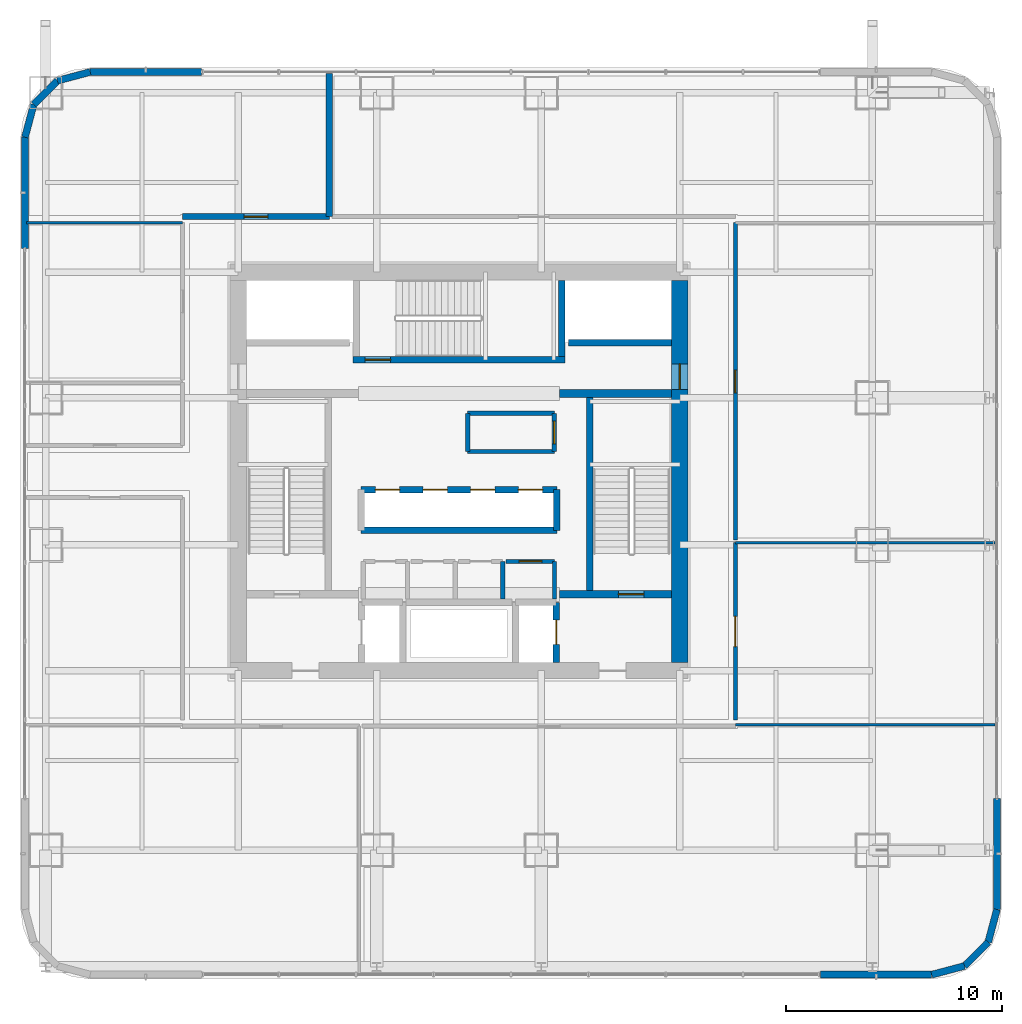
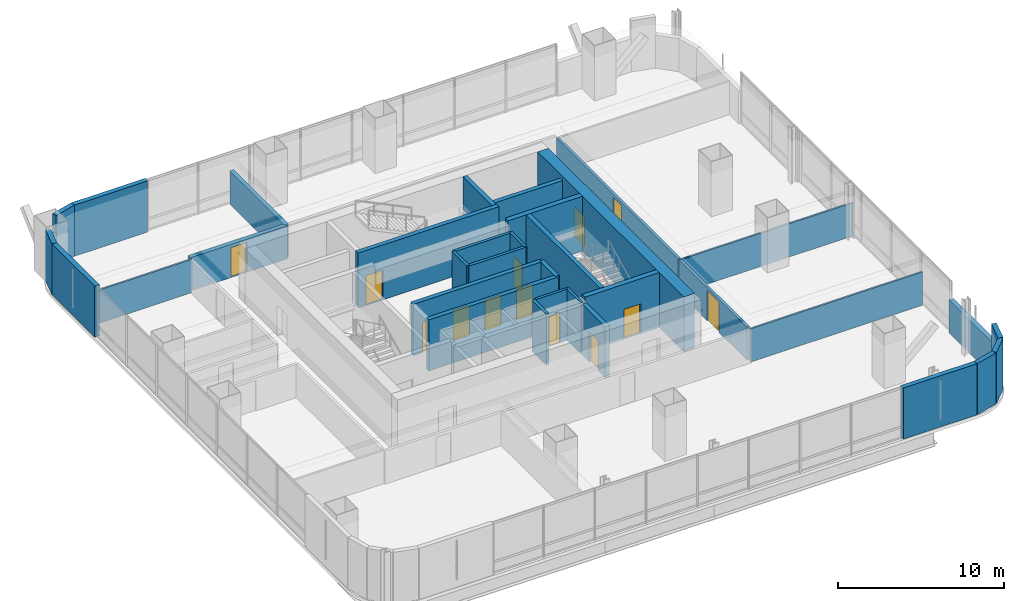
# One storey, part 29 of 42: 35 walls, 13 doors, 13 openings.
"""IFC4 building model written with IfcOpenShell, lengths in metres."""

import ifcopenshell
import ifcopenshell.guid

model = None  # the IFC model being written
_history = None  # IfcOwnerHistory: only IFC2X3 demands one
_inside = {}  # id of a spatial element -> (the spatial element, [elements in it])
_under = {}  # id of a project, library or spatial element -> (it, [spatial elements below it])
_declared = {}  # id of a project -> (the project, [libraries it declares])
_typed = {}  # id of a type object -> (the type object, [elements of that type])
_made_of = {}  # id of a material, layer set ... -> (it, [elements and type objects made of it])


def new_model(schema):
    """Start an empty IFC model of exactly this schema.

    Asked for "IFC4X3", IfcOpenShell would pick the latest addendum, in which some entities
    have other attributes; the version numbers below select the first issue.
    IFC2X3 requires an IfcOwnerHistory on every rooted entity: one is made here for all.
    """
    global model, _history
    if schema == "IFC4X3":
        model = ifcopenshell.file(schema_version=(4, 3, 0, 0))
    else:
        model = ifcopenshell.file(schema=schema)
    _inside.clear()
    _under.clear()
    _declared.clear()
    _typed.clear()
    _made_of.clear()
    _history = None
    if model.schema == "IFC2X3":
        org = make("IfcOrganization", Name="unknown")
        user = make(
            "IfcPersonAndOrganization",
            ThePerson=make("IfcPerson", FamilyName="unknown"),
            TheOrganization=org,
        )
        app = make(
            "IfcApplication",
            ApplicationDeveloper=org,
            Version="unknown",
            ApplicationFullName="unknown",
            ApplicationIdentifier="unknown",
        )
        _history = make(
            "IfcOwnerHistory",
            OwningUser=user,
            OwningApplication=app,
            ChangeAction="ADDED",
            CreationDate=0,
        )
    return model


def make(cls, **values):
    """One entity of the class cls with the attributes given. An attribute that is None is left unset."""
    return model.create_entity(
        cls, **{name: value for name, value in values.items() if value is not None}
    )


def rooted(cls, **values):
    """An entity with a GlobalId (a new one), such as an element, a storey or a relation."""
    return make(cls, GlobalId=ifcopenshell.guid.new(), OwnerHistory=_history, **values)


def si_unit(unit_type, name, prefix=None):
    """IfcSIUnit, for example si_unit("LENGTHUNIT", "METRE", prefix="MILLI")."""
    return make("IfcSIUnit", UnitType=unit_type, Prefix=prefix, Name=name)


def assignment(units):
    """IfcUnitAssignment: the units of a project."""
    return None if units is None else make("IfcUnitAssignment", Units=units)


def point(xyz):
    """IfcCartesianPoint."""
    return None if xyz is None else make("IfcCartesianPoint", Coordinates=xyz)


def direction(xyz):
    """IfcDirection."""
    return None if xyz is None else make("IfcDirection", DirectionRatios=xyz)


def frame(location, z_axis=None, x_axis=None):
    """IfcAxis2Placement3D, a coordinate frame: its origin and axes. An axis left out is left unset."""
    return make(
        "IfcAxis2Placement3D",
        Location=point(location),
        Axis=direction(z_axis),
        RefDirection=direction(x_axis),
    )


def frame_2d(location, x_axis=None):
    """IfcAxis2Placement2D, a coordinate frame in the plane: its origin and x axis."""
    return make(
        "IfcAxis2Placement2D", Location=point(location), RefDirection=direction(x_axis)
    )


def origin():
    """The frame at (0, 0, 0) with its axes left unset."""
    return frame((0.0, 0.0, 0.0))


def place(relative_to, where):
    """IfcLocalPlacement: puts the frame where relative to a parent placement (None: the world)."""
    return make(
        "IfcLocalPlacement", PlacementRelTo=relative_to, RelativePlacement=where
    )


def context(
    kind, dimensions, precision=None, world=None, true_north=None, identifier=None
):
    """IfcGeometricRepresentationContext, for example the 3D "Model" context."""
    return make(
        "IfcGeometricRepresentationContext",
        ContextIdentifier=identifier,
        ContextType=kind,
        CoordinateSpaceDimension=dimensions,
        Precision=precision,
        WorldCoordinateSystem=world,
        TrueNorth=true_north,
    )


def subcontext(parent, identifier, kind, view, scale=None):
    """IfcGeometricRepresentationSubContext, for example "Body" below "Model"."""
    return make(
        "IfcGeometricRepresentationSubContext",
        ContextIdentifier=identifier,
        ContextType=kind,
        ParentContext=parent,
        TargetScale=scale,
        TargetView=view,
    )


def project(units=None, contexts=None):
    """IfcProject with its units and contexts."""
    return rooted(
        "IfcProject",
        Name="project",
        RepresentationContexts=contexts,
        UnitsInContext=assignment(units),
    )


def spatial(cls, under=None, at=None, **own):
    """A site, building, storey or space (cls), placed at a placement, below another one or the project."""
    s = rooted(cls, ObjectPlacement=at, **own)
    if under is not None:
        _under.setdefault(under.id(), (under, []))[1].append(s)
    return s


def profile(cls, at=None, kind="AREA", **sizes):
    """A parametric profile (cls). Its sizes go by their IFC names, for example OverallWidth=200.0."""
    return make(cls, ProfileType=kind, Position=at, **sizes)


def rectangle(**sizes):
    """IfcRectangleProfileDef."""
    return profile("IfcRectangleProfileDef", **sizes)


def extrude(swept, where, along, depth):
    """IfcExtrudedAreaSolid: the profile swept, set in the frame where, extruded along a direction by depth."""
    return make(
        "IfcExtrudedAreaSolid",
        SweptArea=swept,
        Position=where,
        ExtrudedDirection=direction(along),
        Depth=depth,
    )


def shape(context_of_items, identifier, shape_type, items):
    """IfcShapeRepresentation: the items that make up one representation, for example the "Body"."""
    return make(
        "IfcShapeRepresentation",
        ContextOfItems=context_of_items,
        RepresentationIdentifier=identifier,
        RepresentationType=shape_type,
        Items=items,
    )


def material(Name=None, Category=None):
    """IfcMaterial."""
    return make("IfcMaterial", Name=Name, Category=Category)


def layer(
    of_material, thickness, ventilated=None, Name=None, Category=None, Priority=None
):
    """IfcMaterialLayer: one layer of a wall or slab, of a material (None: an air gap)."""
    return make(
        "IfcMaterialLayer",
        Material=of_material,
        LayerThickness=thickness,
        IsVentilated=ventilated,
        Name=Name,
        Category=Category,
        Priority=Priority,
    )


def layer_set(layers, Name=None):
    """IfcMaterialLayerSet."""
    return make("IfcMaterialLayerSet", MaterialLayers=layers, LayerSetName=Name)


def made_of(thing, what):
    """Note that an element or type object is made of a material, layer set ...; save() writes the relation."""
    if what is not None:
        _made_of.setdefault(what.id(), (what, []))[1].append(thing)
    return thing


def type_object(cls, material=None, **own):
    """A type object (cls), such as IfcWallType, which elements share."""
    return made_of(rooted(cls, **own), material)


def element(
    cls,
    number,
    at=None,
    inside=None,
    cuts=None,
    type_object=None,
    material=None,
    context=None,
    identifier="Body",
    shape_type=None,
    held_by="IfcProductDefinitionShape",
    body=None,
    shapes=None,
    **own,
):
    """One element of the class cls, such as IfcWall. Its Tag is "e" and its number.

    at: its placement. inside: the storey or other place that contains it. cuts: it is an
    opening in that element (IfcRelVoidsElement). A single representation is given by context,
    identifier, shape_type and body (its items); several are given by shapes. held_by: the class
    of the entity that holds the representations. save() writes the other relations.
    """
    e = rooted(cls, Tag="e%d" % number, ObjectPlacement=at, **own)
    if body is not None:
        shapes = [shape(context, identifier, shape_type, body)]
    if shapes is not None:
        e.Representation = make(held_by, Representations=shapes)
    if inside is not None:
        _inside.setdefault(inside.id(), (inside, []))[1].append(e)
    if cuts is not None:
        rooted(
            "IfcRelVoidsElement", RelatingBuildingElement=cuts, RelatedOpeningElement=e
        )
    if type_object is not None:
        _typed.setdefault(type_object.id(), (type_object, []))[1].append(e)
    return made_of(e, material)


def fill(opening, filler):
    """IfcRelFillsElement: the door or window that sits in an opening."""
    return rooted(
        "IfcRelFillsElement",
        RelatingOpeningElement=opening,
        RelatedBuildingElement=filler,
    )


def aggregate(whole, parts):
    """IfcRelAggregates: a whole, such as a stair, and the parts it consists of."""
    return rooted("IfcRelAggregates", RelatingObject=whole, RelatedObjects=parts)


def save(model, path):
    """Write the relations noted so far, then the file.

    IfcRelAggregates (storeys below a building ...), IfcRelContainedInSpatialStructure (elements
    in a storey), IfcRelDefinesByType, IfcRelAssociatesMaterial and IfcRelDeclares: one each for
    every whole, place, type object, material and project.
    """
    for whole, parts in _under.values():
        aggregate(whole, parts)
    for where, things in _inside.values():
        rooted(
            "IfcRelContainedInSpatialStructure",
            RelatedElements=things,
            RelatingStructure=where,
        )
    for kind, things in _typed.values():
        rooted("IfcRelDefinesByType", RelatedObjects=things, RelatingType=kind)
    for what, things in _made_of.values():
        rooted("IfcRelAssociatesMaterial", RelatedObjects=things, RelatingMaterial=what)
    for by, libraries in _declared.values():
        rooted("IfcRelDeclares", RelatingContext=by, RelatedDefinitions=libraries)
    model.write(path)


model = new_model("IFC4")

# Units and contexts
model_context = context("Model", 3, precision=1e-05, world=origin(), true_north=direction((0.0, 1.0)))
body_context = subcontext(model_context, "Body", "Model", "MODEL_VIEW")
ifc_project = project(units=[si_unit("LENGTHUNIT", "METRE"), si_unit("AREAUNIT", "SQUARE_METRE"), si_unit("VOLUMEUNIT", "CUBIC_METRE"), si_unit("PLANEANGLEUNIT", "RADIAN"), si_unit("MASSUNIT", "GRAM", prefix="KILO")], contexts=[model_context])

# Site, building, storey
site_placement = place(None, origin())
site = spatial("IfcSite", under=ifc_project, at=site_placement, CompositionType="ELEMENT")
building_placement = place(site_placement, origin())
building = spatial("IfcBuilding", under=site, at=building_placement, Name="Punatoya Terracotta Tower", CompositionType="ELEMENT")
storey_placement = place(building_placement, frame((0.0, 0.0, 88.949951171875)))
storey = spatial("IfcBuildingStorey", under=building, at=storey_placement, Name="L20", CompositionType="ELEMENT", Elevation=88.949951171875)

# Wall
ifc_material_1 = material(Name="Concrete C40/50", Category="concrete")
ifc_layer_1 = layer(ifc_material_1, 0.280029296875)
ifc_layer_set_1 = layer_set([ifc_layer_1], Name="Concrete C40/50")
wall_type_1 = type_object("IfcWallType", Name="WL-AUD-280", PredefinedType="SOLIDWALL", material=ifc_layer_set_1)
wall_1_placement = place(storey_placement, frame((-5.993896484375, 18.3701171875, 0.0), z_axis=(0.0, 0.0, 1.0), x_axis=(0.0, -1.0, 0.0)))
element("IfcWall", 1, at=wall_1_placement, inside=storey, type_object=wall_type_1, Name="L20 Open-Plan Fitness Movement Lounge Partition 30", PredefinedType="SOLIDWALL", context=body_context, shape_type="SweptSolid", body=[
    extrude(rectangle(XDim=6.60009765625, YDim=0.280029296875, at=frame_2d((3.300048828125, 0.0))), origin(), (0.0, 0.0, 1.0), 2.444091796875),
])

# Wall, opening, door
wall_2_placement = place(storey_placement, frame((-5.993896484375, 11.77001953125, 0.0), z_axis=(0.0, 0.0, 1.0), x_axis=(-1.0, 0.0, 0.0)))
wall_2 = element("IfcWall", 2, at=wall_2_placement, inside=storey, type_object=wall_type_1, Name="L20 Open-Plan Fitness Movement Lounge Partition 31", PredefinedType="SOLIDWALL", context=body_context, shape_type="SweptSolid", body=[
    extrude(rectangle(XDim=6.776123046875, YDim=0.280029296875, at=frame_2d((3.38818359375, 0.0))), origin(), (0.0, 0.0, 1.0), 2.444091796875),
])
opening_1_placement = place(wall_2_placement, frame((2.837890625, 0.0, 0.0)))
opening_1 = element("IfcOpeningElement", 3, at=opening_1_placement, cuts=wall_2, Name="Opening FD-P1", PredefinedType="OPENING", context=body_context, shape_type="SweptSolid", body=[
    extrude(rectangle(XDim=1.10009765625, YDim=2.199951171875, at=frame_2d((0.550048828125, 1.10009765625))), frame((0.0, 0.14990234375, 0.0), z_axis=(0.0, -1.0, 0.0), x_axis=(1.0, 0.0, 0.0)), (0.0, 0.0, 1.0), 0.300048828125),
])
ifc_material_2 = material(Name="Galvanised Steel Plant Fire Door", Category="steel")
door_type_1 = type_object("IfcDoorType", Name="DR-PLT-1100", OperationType="NOTDEFINED", PredefinedType="DOOR", material=ifc_material_2)
door_1_placement = place(opening_1_placement, origin())
door_1 = element("IfcDoor", 4, at=door_1_placement, inside=storey, type_object=door_type_1, Name="L20 Open-Plan Fitness Movement Lounge Fire Door", OperationType="SINGLE_SWING_RIGHT", OverallHeight=2.199951171875, OverallWidth=1.10009765625, PredefinedType="DOOR", context=body_context, shape_type="SweptSolid", body=[
    extrude(rectangle(XDim=1.10009765625, YDim=2.199951171875, at=frame_2d((0.550048828125, 1.10009765625))), frame((0.0, 0.02490234375, 0.0), z_axis=(0.0, -1.0, 0.0), x_axis=(1.0, 0.0, 0.0)), (0.0, 0.0, 1.0), 0.050048828125),
])
fill(opening_1, door_1)

ifc_material_3 = material(Name="Concrete C60/75", Category="concrete")
ifc_layer_2 = layer(ifc_material_3, 0.75)
ifc_layer_set_2 = layer_set([ifc_layer_2], Name="Concrete C60/75")
wall_type_2 = type_object("IfcWallType", Name="WL-COR-750", PredefinedType="SHEAR", material=ifc_layer_set_2)
wall_3_placement = place(storey_placement, frame((10.199951171875, 8.824951171875, 0.0), z_axis=(0.0, 0.0, 1.0), x_axis=(0.0, -1.0, 0.0)))
wall_3 = element("IfcWall", 5, at=wall_3_placement, inside=storey, type_object=wall_type_2, Name="L20 Core Shear Wall E", PredefinedType="SHEAR", context=body_context, shape_type="SweptSolid", body=[
    extrude(rectangle(XDim=17.64990234375, YDim=0.75, at=frame_2d((8.824951171875, 0.0))), origin(), (0.0, 0.0, 1.0), 4.050048828125),
])
opening_2_placement = place(wall_3_placement, frame((3.85498046875, 0.0, 0.0)))
opening_2 = element("IfcOpeningElement", 6, at=opening_2_placement, cuts=wall_3, Name="Opening SD-01", PredefinedType="OPENING", context=body_context, shape_type="SweptSolid", body=[
    extrude(rectangle(XDim=1.179931640625, YDim=2.199951171875, at=frame_2d((0.58984375, 1.10009765625))), frame((0.0, 0.385009765625, 0.0), z_axis=(0.0, -1.0, 0.0), x_axis=(1.0, 0.0, 0.0)), (0.0, 0.0, 1.0), 0.77001953125),
])
ifc_material_4 = material(Name="Galvanised Steel Pressurized Stair Fire Door", Category="steel")
door_type_2 = type_object("IfcDoorType", Name="DR-STR-1180", OperationType="NOTDEFINED", PredefinedType="DOOR", material=ifc_material_4)
door_2_placement = place(opening_2_placement, origin())
door_2 = element("IfcDoor", 7, at=door_2_placement, inside=storey, type_object=door_type_2, Name="L20 Central Lift Lobby East Fire Door", OperationType="SINGLE_SWING_RIGHT", OverallHeight=2.199951171875, OverallWidth=1.179931640625, PredefinedType="DOOR", context=body_context, shape_type="SweptSolid", body=[
    extrude(rectangle(XDim=1.179931640625, YDim=2.199951171875, at=frame_2d((0.58984375, 1.10009765625))), frame((0.0, 0.02490234375, 0.0), z_axis=(0.0, -1.0, 0.0), x_axis=(1.0, 0.0, 0.0)), (0.0, 0.0, 1.0), 0.050048828125),
])
fill(opening_2, door_2)

# Wall
ifc_material_5 = material(Name="Gypsum Fireboard + Steel Stud", Category="steel")
ifc_layer_3 = layer(ifc_material_5, 0.179931640625)
ifc_layer_set_3 = layer_set([ifc_layer_3], Name="Gypsum Fireboard + Steel Stud")
wall_type_3 = type_object("IfcWallType", Name="WL-CORR-180", PredefinedType="PARTITIONING", material=ifc_layer_set_3)
wall_4_placement = place(storey_placement, frame((4.419921875, -5.89990234375, 0.0), z_axis=(0.0, 0.0, 1.0), x_axis=(0.0, 1.0, 0.0)))
element("IfcWall", 8, at=wall_4_placement, inside=storey, type_object=wall_type_3, Name="L20 Core Reprographics Studio Partition 08", PredefinedType="PARTITIONING", context=body_context, shape_type="SweptSolid", body=[
    extrude(rectangle(XDim=1.739990234375, YDim=0.179931640625, at=frame_2d((0.8701171875, 0.0))), origin(), (0.0, 0.0, 1.0), 3.77001953125),
])

# Wall, opening, door
wall_5_placement = place(storey_placement, frame((4.419921875, -4.159912109375, 0.0), z_axis=(0.0, 0.0, 1.0), x_axis=(-1.0, 0.0, 0.0)))
wall_5 = element("IfcWall", 9, at=wall_5_placement, inside=storey, type_object=wall_type_3, Name="L20 Core Reprographics Studio Partition 09", PredefinedType="PARTITIONING", context=body_context, shape_type="SweptSolid", body=[
    extrude(rectangle(XDim=2.239990234375, YDim=0.179931640625, at=frame_2d((1.1201171875, 0.0))), origin(), (0.0, 0.0, 1.0), 3.77001953125),
])
opening_3_placement = place(wall_5_placement, frame((0.594970703125, 0.0, 0.0)))
opening_3 = element("IfcOpeningElement", 10, at=opening_3_placement, cuts=wall_5, Name="Opening OD-01", PredefinedType="OPENING", context=body_context, shape_type="SweptSolid", body=[
    extrude(rectangle(XDim=1.050048828125, YDim=2.199951171875, at=frame_2d((0.52490234375, 1.10009765625))), frame((0.0, 0.099853515625, 0.0), z_axis=(0.0, -1.0, 0.0), x_axis=(1.0, 0.0, 0.0)), (0.0, 0.0, 1.0), 0.199951171875),
])
ifc_material_6 = material(Name="Bengal Teak Solid-Core Leaf")
door_type_3 = type_object("IfcDoorType", Name="DR-OFF-1050", OperationType="NOTDEFINED", PredefinedType="DOOR", material=ifc_material_6)
door_3_placement = place(opening_3_placement, origin())
door_3 = element("IfcDoor", 11, at=door_3_placement, inside=storey, type_object=door_type_3, Name="L20 Reprographics Studio Door", OperationType="SINGLE_SWING_LEFT", OverallHeight=2.199951171875, OverallWidth=1.050048828125, PredefinedType="DOOR", context=body_context, shape_type="SweptSolid", body=[
    extrude(rectangle(XDim=1.050048828125, YDim=2.199951171875, at=frame_2d((0.52490234375, 1.10009765625))), frame((0.0, 0.02490234375, 0.0), z_axis=(0.0, -1.0, 0.0), x_axis=(1.0, 0.0, 0.0)), (0.0, 0.0, 1.0), 0.050048828125),
])
fill(opening_3, door_3)

wall_6_placement = place(storey_placement, frame((12.77001953125, -11.489990234375, 0.0), z_axis=(0.0, 0.0, 1.0), x_axis=(0.0, 1.0, 0.0)))
wall_6 = element("IfcWall", 12, at=wall_6_placement, inside=storey, type_object=wall_type_3, Name="L20 Open-Plan Cultural History Classroom Partition 20", PredefinedType="PARTITIONING", context=body_context, shape_type="SweptSolid", body=[
    extrude(rectangle(XDim=8.196044921875, YDim=0.179931640625, at=frame_2d((4.09814453125, 0.0))), origin(), (0.0, 0.0, 1.0), 2.444091796875),
])
opening_4_placement = place(wall_6_placement, frame((3.39794921875, 0.0, 0.0)))
opening_4 = element("IfcOpeningElement", 13, at=opening_4_placement, cuts=wall_6, Name="Opening BD-01", PredefinedType="OPENING", context=body_context, shape_type="SweptSolid", body=[
    extrude(rectangle(XDim=1.39990234375, YDim=2.25, at=frame_2d((0.699951171875, 1.125))), frame((0.0, 0.099853515625, 0.0), z_axis=(0.0, -1.0, 0.0), x_axis=(1.0, 0.0, 0.0)), (0.0, 0.0, 1.0), 0.199951171875),
])
ifc_material_7 = material(Name="Bengal Teak Acoustic Leaf")
door_type_4 = type_object("IfcDoorType", Name="DR-BRD-1400", OperationType="NOTDEFINED", PredefinedType="DOOR", material=ifc_material_7)
door_4_placement = place(opening_4_placement, origin())
door_4 = element("IfcDoor", 14, at=door_4_placement, inside=storey, type_object=door_type_4, Name="L20 Open-Plan Cultural History Classroom Door", OperationType="SINGLE_SWING_LEFT", OverallHeight=2.25, OverallWidth=1.39990234375, PredefinedType="DOOR", context=body_context, shape_type="SweptSolid", body=[
    extrude(rectangle(XDim=1.39990234375, YDim=2.25, at=frame_2d((0.699951171875, 1.125))), frame((0.0, 0.02490234375, 0.0), z_axis=(0.0, -1.0, 0.0), x_axis=(1.0, 0.0, 0.0)), (0.0, 0.0, 1.0), 0.050048828125),
])
fill(opening_4, door_4)

wall_7_placement = place(storey_placement, frame((12.77001953125, -3.174072265625, 0.0), z_axis=(0.0, 0.0, 1.0), x_axis=(0.0, 1.0, 0.0)))
wall_7 = element("IfcWall", 15, at=wall_7_placement, inside=storey, type_object=wall_type_3, Name="L20 Mindfulness Wellness Room Partition 27", PredefinedType="PARTITIONING", context=body_context, shape_type="SweptSolid", body=[
    extrude(rectangle(XDim=14.6640625, YDim=0.179931640625, at=frame_2d((7.33203125, 0.0))), origin(), (0.0, 0.0, 1.0), 2.444091796875),
])
opening_5_placement = place(wall_7_placement, frame((6.806884765625, 0.0, 0.0)))
opening_5 = element("IfcOpeningElement", 16, at=opening_5_placement, cuts=wall_7, Name="Opening OD-01", PredefinedType="OPENING", context=body_context, shape_type="SweptSolid", body=[
    extrude(rectangle(XDim=1.050048828125, YDim=2.199951171875, at=frame_2d((0.52490234375, 1.10009765625))), frame((0.0, 0.099853515625, 0.0), z_axis=(0.0, -1.0, 0.0), x_axis=(1.0, 0.0, 0.0)), (0.0, 0.0, 1.0), 0.199951171875),
])
door_5_placement = place(opening_5_placement, origin())
door_5 = element("IfcDoor", 17, at=door_5_placement, inside=storey, type_object=door_type_3, Name="L20 Mindfulness Wellness Room Door", OperationType="SINGLE_SWING_RIGHT", OverallHeight=2.199951171875, OverallWidth=1.050048828125, PredefinedType="DOOR", context=body_context, shape_type="SweptSolid", body=[
    extrude(rectangle(XDim=1.050048828125, YDim=2.199951171875, at=frame_2d((0.52490234375, 1.10009765625))), frame((0.0, 0.02490234375, 0.0), z_axis=(0.0, -1.0, 0.0), x_axis=(1.0, 0.0, 0.0)), (0.0, 0.0, 1.0), 0.050048828125),
])
fill(opening_5, door_5)

# Walls
ifc_material_8 = material(Name="Precast concrete C40/50", Category="concrete")
ifc_layer_4 = layer(ifc_material_8, 0.320068359375)
ifc_layer_set_4 = layer_set([ifc_layer_4], Name="Precast concrete C40/50")
wall_type_4 = type_object("IfcWallType", Name="WL-EXT-320", PredefinedType="SOLIDWALL", material=ifc_layer_set_4)
wall_8_placement = place(storey_placement, frame((16.699951171875, -23.25, 0.0), z_axis=(0.0, 0.0, 1.0), x_axis=(1.0, 0.0, 0.0)))
element("IfcWall", 18, at=wall_8_placement, inside=storey, type_object=wall_type_4, Name="L20 Terracotta Braced Facade Wall S2", PredefinedType="SOLIDWALL", context=body_context, shape_type="SweptSolid", body=[
    extrude(rectangle(XDim=5.136962890625, YDim=0.320068359375, at=frame_2d((2.568359375, 0.0))), origin(), (0.0, 0.0, 1.0), 3.77001953125),
])
wall_9_placement = place(storey_placement, frame((21.8369140625, -23.25, 0.0), z_axis=(0.0, 0.0, 1.0), x_axis=(0.966224582397, 0.257701486942, 0.0)))
element("IfcWall", 19, at=wall_9_placement, inside=storey, type_object=wall_type_4, Name="L20 Rounded Terracotta Corner Pier 02", PredefinedType="SOLIDWALL", context=body_context, shape_type="SweptSolid", body=[
    extrude(rectangle(XDim=1.565185546875, YDim=0.320068359375, at=frame_2d((0.78271484375, 0.0))), origin(), (0.0, 0.0, 1.0), 3.77001953125),
])
wall_10_placement = place(storey_placement, frame((23.34912109375, -22.8466796875, 0.0), z_axis=(0.0, 0.0, 1.0), x_axis=(0.707028130747, 0.707185422879, 0.0)))
element("IfcWall", 20, at=wall_10_placement, inside=storey, type_object=wall_type_4, Name="L20 Rounded Terracotta Corner Pier 03", PredefinedType="SOLIDWALL", context=body_context, shape_type="SweptSolid", body=[
    extrude(rectangle(XDim=1.55224609375, YDim=0.320068359375, at=frame_2d((0.776123046875, 0.0))), origin(), (0.0, 0.0, 1.0), 3.77001953125),
])
wall_11_placement = place(storey_placement, frame((24.446533203125, -21.7490234375, 0.0), z_axis=(0.0, 0.0, 1.0), x_axis=(0.257847112249, 0.966185730957, 0.0)))
element("IfcWall", 21, at=wall_11_placement, inside=storey, type_object=wall_type_4, Name="L20 Rounded Terracotta Corner Pier 04", PredefinedType="SOLIDWALL", context=body_context, shape_type="SweptSolid", body=[
    extrude(rectangle(XDim=1.565185546875, YDim=0.320068359375, at=frame_2d((0.78271484375, 0.0))), origin(), (0.0, 0.0, 1.0), 3.77001953125),
])
wall_12_placement = place(storey_placement, frame((24.85009765625, -20.23681640625, 0.0), z_axis=(0.0, 0.0, 1.0), x_axis=(0.0, 1.0, 0.0)))
element("IfcWall", 22, at=wall_12_placement, inside=storey, type_object=wall_type_4, Name="L20 Terracotta Braced Facade Wall E1", PredefinedType="SOLIDWALL", context=body_context, shape_type="SweptSolid", body=[
    extrude(rectangle(XDim=5.13671875, YDim=0.320068359375, at=frame_2d((2.568359375, 0.0))), origin(), (0.0, 0.0, 1.0), 2.444091796875),
])
wall_13_placement = place(storey_placement, frame((-11.89990234375, 18.449951171875, 0.0), z_axis=(0.0, 0.0, 1.0), x_axis=(-1.0, 0.0, 0.0)))
element("IfcWall", 23, at=wall_13_placement, inside=storey, type_object=wall_type_4, Name="L20 Terracotta Braced Facade Wall N2", PredefinedType="SOLIDWALL", context=body_context, shape_type="SweptSolid", body=[
    extrude(rectangle(XDim=5.136962890625, YDim=0.320068359375, at=frame_2d((2.568359375, 0.0))), origin(), (0.0, 0.0, 1.0), 3.77001953125),
])
wall_14_placement = place(storey_placement, frame((-17.036865234375, 18.449951171875, 0.0), z_axis=(0.0, 0.0, 1.0), x_axis=(-0.966224582397, -0.257701486942, 0.0)))
element("IfcWall", 24, at=wall_14_placement, inside=storey, type_object=wall_type_4, Name="L20 Rounded Terracotta Corner Pier 10", PredefinedType="SOLIDWALL", context=body_context, shape_type="SweptSolid", body=[
    extrude(rectangle(XDim=1.565185546875, YDim=0.320068359375, at=frame_2d((0.78271484375, 0.0))), origin(), (0.0, 0.0, 1.0), 3.77001953125),
])
wall_15_placement = place(storey_placement, frame((-18.549072265625, 18.046630859375, 0.0), z_axis=(0.0, 0.0, 1.0), x_axis=(-0.707106781187, -0.707106781187, 0.0)))
element("IfcWall", 25, at=wall_15_placement, inside=storey, type_object=wall_type_4, Name="L20 Rounded Terracotta Corner Pier 11", PredefinedType="SOLIDWALL", context=body_context, shape_type="SweptSolid", body=[
    extrude(rectangle(XDim=1.552001953125, YDim=0.320068359375, at=frame_2d((0.77587890625, 0.0))), origin(), (0.0, 0.0, 1.0), 2.444091796875),
])
wall_16_placement = place(storey_placement, frame((-19.646484375, 16.94921875, 0.0), z_axis=(0.0, 0.0, 1.0), x_axis=(-0.257847112249, -0.966185730957, 0.0)))
element("IfcWall", 26, at=wall_16_placement, inside=storey, type_object=wall_type_4, Name="L20 Rounded Terracotta Corner Pier 12", PredefinedType="SOLIDWALL", context=body_context, shape_type="SweptSolid", body=[
    extrude(rectangle(XDim=1.565185546875, YDim=0.320068359375, at=frame_2d((0.78271484375, 0.0))), origin(), (0.0, 0.0, 1.0), 3.77001953125),
])
wall_17_placement = place(storey_placement, frame((-20.050048828125, 15.43701171875, 0.0), z_axis=(0.0, 0.0, 1.0), x_axis=(0.0, -1.0, 0.0)))
element("IfcWall", 27, at=wall_17_placement, inside=storey, type_object=wall_type_4, Name="L20 Terracotta Braced Facade Wall W1", PredefinedType="SOLIDWALL", context=body_context, shape_type="SweptSolid", body=[
    extrude(rectangle(XDim=5.136962890625, YDim=0.320068359375, at=frame_2d((2.568359375, 0.0))), origin(), (0.0, 0.0, 1.0), 3.77001953125),
])
ifc_layer_5 = layer(ifc_material_1, 0.199951171875)
ifc_layer_set_5 = layer_set([ifc_layer_5], Name="Concrete C40/50")
wall_type_5 = type_object("IfcWallType", Name="WL-INT-200", PredefinedType="SOLIDWALL", material=ifc_layer_set_5)
wall_18_placement = place(storey_placement, frame((2.02001953125, -5.89990234375, 0.0), z_axis=(0.0, 0.0, 1.0), x_axis=(0.0, 1.0, 0.0)))
element("IfcWall", 28, at=wall_18_placement, inside=storey, type_object=wall_type_5, Name="L20 Accessible Universal Washroom Partition 06", PredefinedType="SOLIDWALL", context=body_context, shape_type="SweptSolid", body=[
    extrude(rectangle(XDim=1.739990234375, YDim=0.199951171875, at=frame_2d((0.8701171875, 0.0))), origin(), (0.0, 0.0, 1.0), 3.77001953125),
])

# Wall, opening, door
wall_19_placement = place(storey_placement, frame((4.39990234375, 0.919921875, 0.0), z_axis=(0.0, 0.0, 1.0), x_axis=(0.0, 1.0, 0.0)))
wall_19 = element("IfcWall", 29, at=wall_19_placement, inside=storey, type_object=wall_type_5, Name="L20 East Core Tea Pantry Partition 10", PredefinedType="SOLIDWALL", context=body_context, shape_type="SweptSolid", body=[
    extrude(rectangle(XDim=1.760009765625, YDim=0.199951171875, at=frame_2d((0.8798828125, 0.0))), origin(), (0.0, 0.0, 1.0), 3.77001953125),
])
opening_6_placement = place(wall_19_placement, frame((0.35498046875, 0.0, 0.0)))
opening_6 = element("IfcOpeningElement", 30, at=opening_6_placement, cuts=wall_19, Name="Opening OD-01", PredefinedType="OPENING", context=body_context, shape_type="SweptSolid", body=[
    extrude(rectangle(XDim=1.050048828125, YDim=2.199951171875, at=frame_2d((0.52490234375, 1.10009765625))), frame((0.0, 0.10986328125, 0.0), z_axis=(0.0, -1.0, 0.0), x_axis=(1.0, 0.0, 0.0)), (0.0, 0.0, 1.0), 0.219970703125),
])
door_6_placement = place(opening_6_placement, origin())
door_6 = element("IfcDoor", 31, at=door_6_placement, inside=storey, type_object=door_type_3, Name="L20 East Tea Pantry Door", OperationType="SINGLE_SWING_RIGHT", OverallHeight=2.199951171875, OverallWidth=1.050048828125, PredefinedType="DOOR", context=body_context, shape_type="SweptSolid", body=[
    extrude(rectangle(XDim=1.050048828125, YDim=2.199951171875, at=frame_2d((0.52490234375, 1.10009765625))), frame((0.0, 0.02490234375, 0.0), z_axis=(0.0, -1.0, 0.0), x_axis=(1.0, 0.0, 0.0)), (0.0, 0.0, 1.0), 0.050048828125),
])
fill(opening_6, door_6)

# Walls
wall_20_placement = place(storey_placement, frame((4.39990234375, 2.679931640625, 0.0), z_axis=(0.0, 0.0, 1.0), x_axis=(-1.0, 0.0, 0.0)))
element("IfcWall", 32, at=wall_20_placement, inside=storey, type_object=wall_type_5, Name="L20 East Core Tea Pantry Partition 11", PredefinedType="SOLIDWALL", context=body_context, shape_type="SweptSolid", body=[
    extrude(rectangle(XDim=4.0, YDim=0.199951171875, at=frame_2d((2.0, 0.0))), origin(), (0.0, 0.0, 1.0), 3.77001953125),
])
wall_21_placement = place(storey_placement, frame((0.39990234375, 2.679931640625, 0.0), z_axis=(0.0, 0.0, 1.0), x_axis=(0.0, -1.0, 0.0)))
element("IfcWall", 33, at=wall_21_placement, inside=storey, type_object=wall_type_5, Name="L20 East Core Tea Pantry Partition 12", PredefinedType="SOLIDWALL", context=body_context, shape_type="SweptSolid", body=[
    extrude(rectangle(XDim=1.760009765625, YDim=0.199951171875, at=frame_2d((0.8798828125, 0.0))), origin(), (0.0, 0.0, 1.0), 3.77001953125),
])
wall_22_placement = place(storey_placement, frame((0.39990234375, 0.919921875, 0.0), z_axis=(0.0, 0.0, 1.0), x_axis=(1.0, 0.0, 0.0)))
element("IfcWall", 34, at=wall_22_placement, inside=storey, type_object=wall_type_5, Name="L20 East Core Tea Pantry Partition 13", PredefinedType="SOLIDWALL", context=body_context, shape_type="SweptSolid", body=[
    extrude(rectangle(XDim=4.0, YDim=0.199951171875, at=frame_2d((2.0, 0.0))), origin(), (0.0, 0.0, 1.0), 3.77001953125),
])
ifc_material_9 = material(Name="Gypsum Partition + Steel Stud", Category="steel")
ifc_layer_6 = layer(ifc_material_9, 0.1201171875)
ifc_layer_set_6 = layer_set([ifc_layer_6], Name="Gypsum Partition + Steel Stud")
wall_type_6 = type_object("IfcWallType", Name="WL-OFF-120", PredefinedType="PARTITIONING", material=ifc_layer_set_6)
for number, where, z_axis, x_axis, name in (
    (35, (12.77001953125, -11.7099609375, 0.0), (0.0, 0.0, 1.0), (1.0, 0.0, 0.0), "L20 Occupational Rest Lounge Partition 17"),
    (36, (12.77001953125, -3.2939453125, 0.0), (0.0, 0.0, 1.0), (1.0, 0.0, 0.0), "L20 Open-Plan Cultural History Classroom Partition 19"),
):
    element("IfcWall", number, at=place(storey_placement, frame(where, z_axis=z_axis, x_axis=x_axis)), inside=storey, type_object=wall_type_6, Name=name, PredefinedType="PARTITIONING", context=body_context, shape_type="SweptSolid", body=[
        extrude(rectangle(XDim=12.0, YDim=0.1201171875, at=frame_2d((6.0, 0.0))), origin(), (0.0, 0.0, 1.0), 2.444091796875),
    ])
wall_23_placement = place(storey_placement, frame((-19.969970703125, 11.489990234375, 0.0), z_axis=(0.0, 0.0, 1.0), x_axis=(1.0, 0.0, 0.0)))
element("IfcWall", 37, at=wall_23_placement, inside=storey, type_object=wall_type_6, Name="L20 Cultural Reading Library Partition 28", PredefinedType="PARTITIONING", context=body_context, shape_type="SweptSolid", body=[
    extrude(rectangle(XDim=7.199951171875, YDim=0.1201171875, at=frame_2d((3.60009765625, 0.0))), origin(), (0.0, 0.0, 1.0), 2.444091796875),
])
ifc_layer_7 = layer(ifc_material_1, 0.300048828125)
ifc_layer_set_7 = layer_set([ifc_layer_7], Name="Concrete C40/50")
wall_type_7 = type_object("IfcWallType", Name="WL-SHF-300", PredefinedType="SOLIDWALL", material=ifc_layer_set_7)
wall_24_placement = place(storey_placement, frame((6.050048828125, 3.449951171875, 0.0), z_axis=(0.0, 0.0, 1.0), x_axis=(0.0, -1.0, 0.0)))
element("IfcWall", 38, at=wall_24_placement, inside=storey, type_object=wall_type_7, Name="L20 Structural Stair Shaft Wall SW-ST2-W", PredefinedType="SOLIDWALL", context=body_context, shape_type="SweptSolid", body=[
    extrude(rectangle(XDim=8.949951171875, YDim=0.300048828125, at=frame_2d((4.47509765625, 0.0))), origin(), (0.0, 0.0, 1.0), 4.050048828125),
])
wall_25_placement = place(storey_placement, frame((4.75, 8.824951171875, 0.0), z_axis=(0.0, 0.0, 1.0), x_axis=(0.0, -1.0, 0.0)))
element("IfcWall", 39, at=wall_25_placement, inside=storey, type_object=wall_type_7, Name="L20 Structural Stair Shaft Wall SW-ST3-E", PredefinedType="SOLIDWALL", context=body_context, shape_type="SweptSolid", body=[
    extrude(rectangle(XDim=3.52490234375, YDim=0.300048828125, at=frame_2d((1.762451171875, 0.0))), origin(), (0.0, 0.0, 1.0), 4.050048828125),
])

# Wall, opening, door
wall_26_placement = place(storey_placement, frame((-4.89990234375, 5.14990234375, 0.0), z_axis=(0.0, 0.0, 1.0), x_axis=(1.0, 0.0, 0.0)))
wall_26 = element("IfcWall", 40, at=wall_26_placement, inside=storey, type_object=wall_type_7, Name="L20 Structural Stair Shaft Wall SW-ST3-S", PredefinedType="SOLIDWALL", context=body_context, shape_type="SweptSolid", body=[
    extrude(rectangle(XDim=9.7998046875, YDim=0.300048828125, at=frame_2d((4.89990234375, 0.0))), origin(), (0.0, 0.0, 1.0), 4.050048828125),
])
opening_7_placement = place(wall_26_placement, frame((0.56005859375, 0.0, 0.0)))
opening_7 = element("IfcOpeningElement", 41, at=opening_7_placement, cuts=wall_26, Name="Opening SD-01", PredefinedType="OPENING", context=body_context, shape_type="SweptSolid", body=[
    extrude(rectangle(XDim=1.179931640625, YDim=2.199951171875, at=frame_2d((0.58984375, 1.10009765625))), frame((0.0, 0.159912109375, 0.0), z_axis=(0.0, -1.0, 0.0), x_axis=(1.0, 0.0, 0.0)), (0.0, 0.0, 1.0), 0.320068359375),
])
door_7_placement = place(opening_7_placement, origin())
door_7 = element("IfcDoor", 42, at=door_7_placement, inside=storey, type_object=door_type_2, Name="L20 Stair ST-3 Core Lobby Fire Door", OperationType="SINGLE_SWING_LEFT", OverallHeight=2.199951171875, OverallWidth=1.179931640625, PredefinedType="DOOR", context=body_context, shape_type="SweptSolid", body=[
    extrude(rectangle(XDim=1.179931640625, YDim=2.199951171875, at=frame_2d((0.58984375, 1.10009765625))), frame((0.0, 0.02490234375, 0.0), z_axis=(0.0, -1.0, 0.0), x_axis=(1.0, 0.0, 0.0)), (0.0, 0.0, 1.0), 0.050048828125),
])
fill(opening_7, door_7)

wall_27_placement = place(storey_placement, frame((4.489990234375, -8.820068359375, 0.0), z_axis=(0.0, 0.0, 1.0), x_axis=(0.0, 1.0, 0.0)))
wall_27 = element("IfcWall", 43, at=wall_27_placement, inside=storey, type_object=wall_type_7, Name="L20 FFL-2 Front Hoistway Wall", PredefinedType="SOLIDWALL", context=body_context, shape_type="SweptSolid", body=[
    extrude(rectangle(XDim=2.77001953125, YDim=0.300048828125, at=frame_2d((1.385009765625, 0.0))), origin(), (0.0, 0.0, 1.0), 3.77001953125),
])
opening_8_placement = place(wall_27_placement, frame((0.824951171875, 0.0, 0.0)))
opening_8 = element("IfcOpeningElement", 44, at=opening_8_placement, cuts=wall_27, Name="Opening LD-02", PredefinedType="OPENING", context=body_context, shape_type="SweptSolid", body=[
    extrude(rectangle(XDim=1.1201171875, YDim=2.25, at=frame_2d((0.56005859375, 1.125))), frame((0.0, 0.159912109375, 0.0), z_axis=(0.0, -1.0, 0.0), x_axis=(1.0, 0.0, 0.0)), (0.0, 0.0, 1.0), 0.320068359375),
])
ifc_material_10 = material(Name="Stainless Steel Lift Landing Door", Category="steel")
door_type_5 = type_object("IfcDoorType", Name="DR-LND-1120", OperationType="NOTDEFINED", PredefinedType="DOOR", material=ifc_material_10)
door_8_placement = place(opening_8_placement, origin())
door_8 = element("IfcDoor", 45, at=door_8_placement, inside=storey, type_object=door_type_5, Name="L20 Firefighting Lift FFL-2 Sliding Landing Door", OperationType="SLIDING_TO_RIGHT", OverallHeight=2.25, OverallWidth=1.1201171875, PredefinedType="DOOR", context=body_context, shape_type="SweptSolid", body=[
    extrude(rectangle(XDim=1.1201171875, YDim=2.25, at=frame_2d((0.56005859375, 1.125))), frame((0.0, 0.02490234375, 0.0), z_axis=(0.0, -1.0, 0.0), x_axis=(1.0, 0.0, 0.0)), (0.0, 0.0, 1.0), 0.050048828125),
])
fill(opening_8, door_8)

# Wall, openings, doors
wall_28_placement = place(storey_placement, frame((-4.52001953125, -0.840087890625, 0.0), z_axis=(0.0, 0.0, 1.0), x_axis=(1.0, 0.0, 0.0)))
wall_28 = element("IfcWall", 46, at=wall_28_placement, inside=storey, type_object=wall_type_7, Name="L20 South Lift Bank Front Shaft Wall", PredefinedType="SOLIDWALL", context=body_context, shape_type="SweptSolid", body=[
    extrude(rectangle(XDim=9.0400390625, YDim=0.300048828125, at=frame_2d((4.52001953125, 0.0))), origin(), (0.0, 0.0, 1.0), 3.77001953125),
])
opening_9_placement = place(wall_28_placement, frame((0.659912109375, 0.0, 0.0)))
opening_9 = element("IfcOpeningElement", 47, at=opening_9_placement, cuts=wall_28, Name="Opening LD-02", PredefinedType="OPENING", context=body_context, shape_type="SweptSolid", body=[
    extrude(rectangle(XDim=1.1201171875, YDim=2.25, at=frame_2d((0.56005859375, 1.125))), frame((0.0, 0.159912109375, 0.0), z_axis=(0.0, -1.0, 0.0), x_axis=(1.0, 0.0, 0.0)), (0.0, 0.0, 1.0), 0.320068359375),
])
opening_10_placement = place(wall_28_placement, frame((2.860107421875, 0.0, 0.0)))
opening_10 = element("IfcOpeningElement", 48, at=opening_10_placement, cuts=wall_28, Name="Opening LD-02", PredefinedType="OPENING", context=body_context, shape_type="SweptSolid", body=[
    extrude(rectangle(XDim=1.1201171875, YDim=2.25, at=frame_2d((0.56005859375, 1.125))), frame((0.0, 0.159912109375, 0.0), z_axis=(0.0, -1.0, 0.0), x_axis=(1.0, 0.0, 0.0)), (0.0, 0.0, 1.0), 0.320068359375),
])
opening_11_placement = place(wall_28_placement, frame((5.06005859375, 0.0, 0.0)))
opening_11 = element("IfcOpeningElement", 49, at=opening_11_placement, cuts=wall_28, Name="Opening LD-02", PredefinedType="OPENING", context=body_context, shape_type="SweptSolid", body=[
    extrude(rectangle(XDim=1.1201171875, YDim=2.25, at=frame_2d((0.56005859375, 1.125))), frame((0.0, 0.159912109375, 0.0), z_axis=(0.0, -1.0, 0.0), x_axis=(1.0, 0.0, 0.0)), (0.0, 0.0, 1.0), 0.320068359375),
])
opening_12_placement = place(wall_28_placement, frame((7.260009765625, 0.0, 0.0)))
opening_12 = element("IfcOpeningElement", 50, at=opening_12_placement, cuts=wall_28, Name="Opening LD-02", PredefinedType="OPENING", context=body_context, shape_type="SweptSolid", body=[
    extrude(rectangle(XDim=1.1201171875, YDim=2.25, at=frame_2d((0.56005859375, 1.125))), frame((0.0, 0.159912109375, 0.0), z_axis=(0.0, -1.0, 0.0), x_axis=(1.0, 0.0, 0.0)), (0.0, 0.0, 1.0), 0.320068359375),
])
door_9_placement = place(opening_9_placement, origin())
door_9 = element("IfcDoor", 51, at=door_9_placement, inside=storey, type_object=door_type_5, Name="L20 Lift PL-L1 Sliding Landing Door", OperationType="DOUBLE_DOOR_SLIDING", OverallHeight=2.25, OverallWidth=1.1201171875, PredefinedType="DOOR", context=body_context, shape_type="SweptSolid", body=[
    extrude(rectangle(XDim=1.1201171875, YDim=2.25, at=frame_2d((0.56005859375, 1.125))), frame((0.0, 0.02490234375, 0.0), z_axis=(0.0, -1.0, 0.0), x_axis=(1.0, 0.0, 0.0)), (0.0, 0.0, 1.0), 0.050048828125),
])
fill(opening_9, door_9)
door_10_placement = place(opening_10_placement, origin())
door_10 = element("IfcDoor", 52, at=door_10_placement, inside=storey, type_object=door_type_5, Name="L20 Lift PL-L2 Sliding Landing Door", OperationType="DOUBLE_DOOR_SLIDING", OverallHeight=2.25, OverallWidth=1.1201171875, PredefinedType="DOOR", context=body_context, shape_type="SweptSolid", body=[
    extrude(rectangle(XDim=1.1201171875, YDim=2.25, at=frame_2d((0.56005859375, 1.125))), frame((0.0, 0.02490234375, 0.0), z_axis=(0.0, -1.0, 0.0), x_axis=(1.0, 0.0, 0.0)), (0.0, 0.0, 1.0), 0.050048828125),
])
fill(opening_10, door_10)
door_11_placement = place(opening_11_placement, origin())
door_11 = element("IfcDoor", 53, at=door_11_placement, inside=storey, type_object=door_type_5, Name="L20 Lift PL-L3 Sliding Landing Door", OperationType="DOUBLE_DOOR_SLIDING", OverallHeight=2.25, OverallWidth=1.1201171875, PredefinedType="DOOR", context=body_context, shape_type="SweptSolid", body=[
    extrude(rectangle(XDim=1.1201171875, YDim=2.25, at=frame_2d((0.56005859375, 1.125))), frame((0.0, 0.02490234375, 0.0), z_axis=(0.0, -1.0, 0.0), x_axis=(1.0, 0.0, 0.0)), (0.0, 0.0, 1.0), 0.050048828125),
])
fill(opening_11, door_11)
door_12_placement = place(opening_12_placement, origin())
door_12 = element("IfcDoor", 54, at=door_12_placement, inside=storey, type_object=door_type_5, Name="L20 Lift PL-L4 Sliding Landing Door", OperationType="DOUBLE_DOOR_SLIDING", OverallHeight=2.25, OverallWidth=1.1201171875, PredefinedType="DOOR", context=body_context, shape_type="SweptSolid", body=[
    extrude(rectangle(XDim=1.1201171875, YDim=2.25, at=frame_2d((0.56005859375, 1.125))), frame((0.0, 0.02490234375, 0.0), z_axis=(0.0, -1.0, 0.0), x_axis=(1.0, 0.0, 0.0)), (0.0, 0.0, 1.0), 0.050048828125),
])
fill(opening_12, door_12)

# Walls
wall_29_placement = place(storey_placement, frame((-4.52001953125, -2.719970703125, 0.0), z_axis=(0.0, 0.0, 1.0), x_axis=(1.0, 0.0, 0.0)))
element("IfcWall", 55, at=wall_29_placement, inside=storey, type_object=wall_type_7, Name="L20 South Lift Bank Rear Shaft Wall", PredefinedType="SOLIDWALL", context=body_context, shape_type="SweptSolid", body=[
    extrude(rectangle(XDim=9.0400390625, YDim=0.300048828125, at=frame_2d((4.52001953125, 0.0))), origin(), (0.0, 0.0, 1.0), 3.77001953125),
])
wall_30_placement = place(storey_placement, frame((4.52001953125, -2.719970703125, 0.0), z_axis=(0.0, 0.0, 1.0), x_axis=(0.0, 1.0, 0.0)))
element("IfcWall", 56, at=wall_30_placement, inside=storey, type_object=wall_type_7, Name="L20 South Lift Bank East End Wall", PredefinedType="SOLIDWALL", context=body_context, shape_type="SweptSolid", body=[
    extrude(rectangle(XDim=1.8798828125, YDim=0.300048828125, at=frame_2d((0.93994140625, 0.0))), origin(), (0.0, 0.0, 1.0), 3.77001953125),
])
wall_31_placement = place(storey_placement, frame((5.06005859375, 5.949951171875, 0.0), z_axis=(0.0, 0.0, 1.0), x_axis=(1.0, 0.0, 0.0)))
element("IfcWall", 57, at=wall_31_placement, inside=storey, type_object=wall_type_7, Name="L20 Shuttle SL-2 South Hoistway Wall", PredefinedType="SOLIDWALL", context=body_context, shape_type="SweptSolid", body=[
    extrude(rectangle(XDim=4.760009765625, YDim=0.300048828125, at=frame_2d((2.3798828125, 0.0))), origin(), (0.0, 0.0, 1.0), 3.77001953125),
])

# Wall, opening, door
ifc_material_11 = material(Name="Concrete C50/60", Category="concrete")
ifc_layer_8 = layer(ifc_material_11, 0.35009765625)
ifc_layer_set_8 = layer_set([ifc_layer_8], Name="Concrete C50/60")
wall_type_8 = type_object("IfcWallType", Name="WL-SHF-350", PredefinedType="SOLIDWALL", material=ifc_layer_set_8)
wall_32_placement = place(storey_placement, frame((4.64990234375, -5.679931640625, 0.0), z_axis=(0.0, 0.0, 1.0), x_axis=(1.0, 0.0, 0.0)))
wall_32 = element("IfcWall", 58, at=wall_32_placement, inside=storey, type_object=wall_type_8, Name="L20 Core Web Wall CSW-R", PredefinedType="SOLIDWALL", context=body_context, shape_type="SweptSolid", body=[
    extrude(rectangle(XDim=5.175048828125, YDim=0.35009765625, at=frame_2d((2.58740234375, 0.0))), origin(), (0.0, 0.0, 1.0), 4.050048828125),
])
opening_13_placement = place(wall_32_placement, frame((2.7099609375, 0.0, 0.0)))
opening_13 = element("IfcOpeningElement", 59, at=opening_13_placement, cuts=wall_32, Name="Opening SD-01", PredefinedType="OPENING", context=body_context, shape_type="SweptSolid", body=[
    extrude(rectangle(XDim=1.179931640625, YDim=2.199951171875, at=frame_2d((0.58984375, 1.10009765625))), frame((0.0, 0.18505859375, 0.0), z_axis=(0.0, -1.0, 0.0), x_axis=(1.0, 0.0, 0.0)), (0.0, 0.0, 1.0), 0.3701171875),
])
door_13_placement = place(opening_13_placement, origin())
door_13 = element("IfcDoor", 60, at=door_13_placement, inside=storey, type_object=door_type_2, Name="L20 Stair ST-2 Smokeproof Lobby Fire Door", OperationType="SINGLE_SWING_RIGHT", OverallHeight=2.199951171875, OverallWidth=1.179931640625, PredefinedType="DOOR", context=body_context, shape_type="SweptSolid", body=[
    extrude(rectangle(XDim=1.179931640625, YDim=2.199951171875, at=frame_2d((0.58984375, 1.10009765625))), frame((0.0, 0.02490234375, 0.0), z_axis=(0.0, -1.0, 0.0), x_axis=(1.0, 0.0, 0.0)), (0.0, 0.0, 1.0), 0.050048828125),
])
fill(opening_13, door_13)

# Wall
wall_33_placement = place(storey_placement, frame((4.64990234375, 3.60009765625, 0.0), z_axis=(0.0, 0.0, 1.0), x_axis=(1.0, 0.0, 0.0)))
element("IfcWall", 61, at=wall_33_placement, inside=storey, type_object=wall_type_8, Name="L20 Core Web Wall CNW-R", PredefinedType="SOLIDWALL", context=body_context, shape_type="SweptSolid", body=[
    extrude(rectangle(XDim=5.175048828125, YDim=0.35009765625, at=frame_2d((2.58740234375, 0.0))), origin(), (0.0, 0.0, 1.0), 4.050048828125),
])

save(model, "model.ifc")
